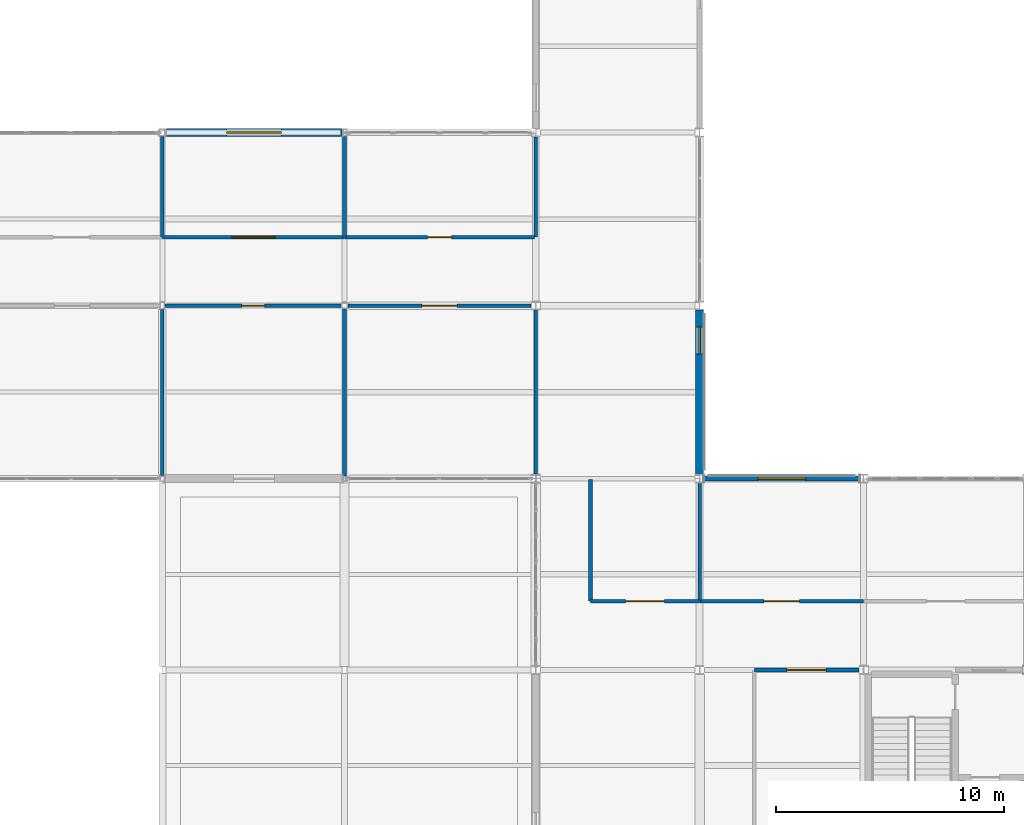
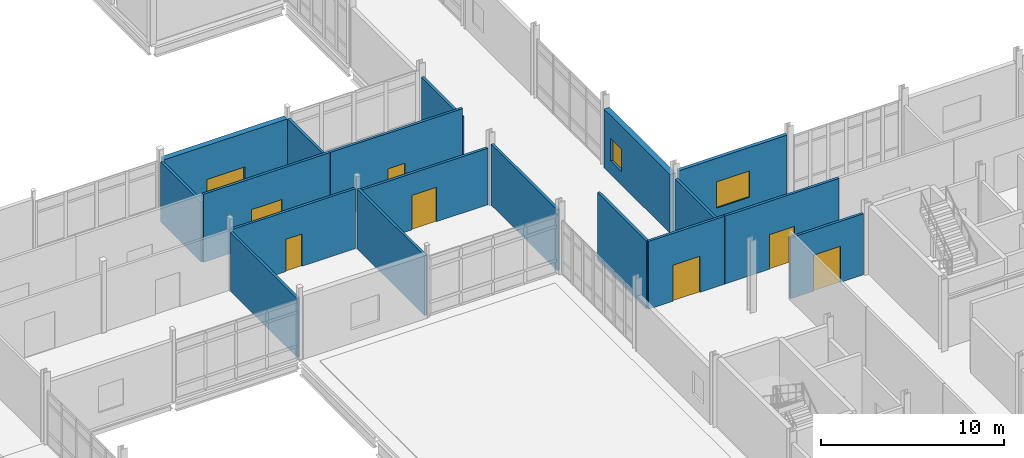
# One storey, part 163 of 186: 18 walls, 7 doors, 3 windows, 10 openings.
"""IFC4 building model written with IfcOpenShell, lengths in metres."""

from ifc_helpers import new_model, si_unit, direction, frame, frame_2d, origin, place, context, subcontext, project, spatial, rectangle, extrude, material, layer, layer_set, type_object, element, fill, save


model = new_model("IFC4")

# Units and contexts
model_context = context("Model", 3, precision=1e-05, world=origin(), true_north=direction((0.0, 1.0)))
body_context = subcontext(model_context, "Body", "Model", "MODEL_VIEW")
ifc_project = project(units=[si_unit("LENGTHUNIT", "METRE"), si_unit("AREAUNIT", "SQUARE_METRE"), si_unit("VOLUMEUNIT", "CUBIC_METRE"), si_unit("PLANEANGLEUNIT", "RADIAN"), si_unit("MASSUNIT", "GRAM", prefix="KILO")], contexts=[model_context])

# Site, building, storey
site_placement = place(None, origin())
site = spatial("IfcSite", under=ifc_project, at=site_placement, CompositionType="ELEMENT")
building_placement = place(site_placement, origin())
building = spatial("IfcBuilding", under=site, at=building_placement, Name="Calvrana Isthmian Art Gallery", CompositionType="ELEMENT")
storey_placement = place(building_placement, frame((0.0, 0.0, 5.39990234375)))
storey = spatial("IfcBuildingStorey", under=building, at=storey_placement, Name="L01", CompositionType="ELEMENT", Elevation=5.39990234375)

# Wall, opening, window
ifc_material_1 = material(Name="Precast concrete C40/50", Category="concrete")
ifc_layer_1 = layer(ifc_material_1, 0.219970703125, Name="Precast concrete C40/50")
ifc_layer_set_1 = layer_set([ifc_layer_1], Name="Precast concrete C40/50")
wall_type_1 = type_object("IfcWallType", Name="EW-ACOUST-220", PredefinedType="SOLIDWALL", material=ifc_layer_set_1)
wall_1_placement = place(storey_placement, frame((120.197021484375, 46.800048828125, 0.0), z_axis=(0.0, 0.0, 1.0), x_axis=(1.0, 0.0, 0.0)))
wall_1 = element("IfcWall", 1, at=wall_1_placement, inside=storey, type_object=wall_type_1, Name="Exterior wall EW-070", PredefinedType="SOLIDWALL", context=body_context, shape_type="SweptSolid", body=[
    extrude(rectangle(XDim=6.81640625, YDim=0.219970703125, at=frame_2d((3.408203125, 0.0))), origin(), (0.0, 0.0, 1.0), 4.21533203125),
])
opening_1_placement = place(wall_1_placement, frame((2.358154296875, 0.0, 0.89990234375)))
opening_1 = element("IfcOpeningElement", 2, at=opening_1_placement, cuts=wall_1, Name="Opening W-035", PredefinedType="OPENING", context=body_context, shape_type="SweptSolid", body=[
    extrude(rectangle(XDim=2.10009765625, YDim=1.75, at=frame_2d((1.050048828125, 0.875))), frame((0.0, 0.1201171875, 0.0), z_axis=(0.0, -1.0, 0.0), x_axis=(1.0, 0.0, 0.0)), (0.0, 0.0, 1.0), 0.240478515625),
])
ifc_material_2 = material(Name="Low-E laminated solar glass", Category="glass")
window_type_1 = type_object("IfcWindowType", Name="WN-G12", PartitioningType="DOUBLE_PANEL_VERTICAL", PredefinedType="WINDOW", material=ifc_material_2)
window_1_placement = place(opening_1_placement, origin())
window_1 = element("IfcWindow", 3, at=window_1_placement, inside=storey, type_object=window_type_1, Name="Facade window W-035", OverallHeight=1.75, OverallWidth=2.10009765625, PartitioningType="SINGLE_PANEL", PredefinedType="WINDOW", context=body_context, shape_type="SweptSolid", body=[
    extrude(rectangle(XDim=2.10009765625, YDim=1.75, at=frame_2d((1.050048828125, 0.875))), frame((0.0, 0.030029296875, 0.0), z_axis=(0.0, -1.0, 0.0), x_axis=(1.0, 0.0, 0.0)), (0.0, 0.0, 1.0), 0.06005859375),
])
fill(opening_1, window_1)

ifc_layer_2 = layer(ifc_material_1, 0.35009765625, Name="Precast concrete C40/50")
ifc_layer_set_2 = layer_set([ifc_layer_2], Name="Precast concrete C40/50")
wall_type_2 = type_object("IfcWallType", Name="EW-PREC-350", PredefinedType="SOLIDWALL", material=ifc_layer_set_2)
wall_2_placement = place(storey_placement, frame((96.552490234375, 62.0, 0.0), z_axis=(0.0, 0.0, 1.0), x_axis=(1.0, 0.0, 0.0)))
wall_2 = element("IfcWall", 4, at=wall_2_placement, inside=storey, type_object=wall_type_2, Name="Exterior wall EW-077", PredefinedType="SOLIDWALL", context=body_context, shape_type="SweptSolid", body=[
    extrude(rectangle(XDim=7.745849609375, YDim=0.35009765625, at=frame_2d((3.873046875, 0.0))), origin(), (0.0, 0.0, 1.0), 4.05810546875),
])
opening_2_placement = place(wall_2_placement, frame((2.673095703125, 0.0, 0.89990234375)))
opening_2 = element("IfcOpeningElement", 5, at=opening_2_placement, cuts=wall_2, Name="Opening W-042", PredefinedType="OPENING", context=body_context, shape_type="SweptSolid", body=[
    extrude(rectangle(XDim=2.39990234375, YDim=0.89990234375, at=frame_2d((1.199951171875, 0.449951171875))), frame((0.0, 0.185302734375, 0.0), z_axis=(0.0, -1.0, 0.0), x_axis=(1.0, 0.0, 0.0)), (0.0, 0.0, 1.0), 0.37060546875),
])
window_type_2 = type_object("IfcWindowType", Name="WN-C03", PartitioningType="DOUBLE_PANEL_VERTICAL", PredefinedType="WINDOW", material=ifc_material_2)
window_2_placement = place(opening_2_placement, origin())
window_2 = element("IfcWindow", 6, at=window_2_placement, inside=storey, type_object=window_type_2, Name="Facade window W-042", OverallHeight=0.89990234375, OverallWidth=2.39990234375, PartitioningType="SINGLE_PANEL", PredefinedType="WINDOW", context=body_context, shape_type="SweptSolid", body=[
    extrude(rectangle(XDim=2.39990234375, YDim=0.89990234375, at=frame_2d((1.199951171875, 0.449951171875))), frame((0.0, 0.030029296875, 0.0), z_axis=(0.0, -1.0, 0.0), x_axis=(1.0, 0.0, 0.0)), (0.0, 0.0, 1.0), 0.06005859375),
])
fill(opening_2, window_2)

wall_3_placement = place(storey_placement, frame((120.0, 54.216064453125, 0.0), z_axis=(0.0, 0.0, 1.0), x_axis=(0.0, -1.0, 0.0)))
wall_3 = element("IfcWall", 7, at=wall_3_placement, inside=storey, type_object=wall_type_2, Name="Exterior wall EW-105", PredefinedType="SOLIDWALL", context=body_context, shape_type="SweptSolid", body=[
    extrude(rectangle(XDim=7.22802734375, YDim=0.35009765625, at=frame_2d((3.614013671875, 0.0))), origin(), (0.0, 0.0, 1.0), 3.908203125),
])
opening_3_placement = place(wall_3_placement, frame((0.75, 0.0, 0.89990234375)))
opening_3 = element("IfcOpeningElement", 8, at=opening_3_placement, cuts=wall_3, Name="Opening W-067", PredefinedType="OPENING", context=body_context, shape_type="SweptSolid", body=[
    extrude(rectangle(XDim=1.199951171875, YDim=1.5, at=frame_2d((0.60009765625, 0.75))), frame((0.0, 0.185302734375, 0.0), z_axis=(0.0, -1.0, 0.0), x_axis=(1.0, 0.0, 0.0)), (0.0, 0.0, 1.0), 0.37060546875),
])
window_type_3 = type_object("IfcWindowType", Name="WN-G01", PartitioningType="SINGLE_PANEL", PredefinedType="WINDOW", material=ifc_material_2)
window_3_placement = place(opening_3_placement, origin())
window_3 = element("IfcWindow", 9, at=window_3_placement, inside=storey, type_object=window_type_3, Name="Facade window W-067", OverallHeight=1.5, OverallWidth=1.199951171875, PartitioningType="SINGLE_PANEL", PredefinedType="WINDOW", context=body_context, shape_type="SweptSolid", body=[
    extrude(rectangle(XDim=1.199951171875, YDim=1.5, at=frame_2d((0.60009765625, 0.75))), frame((0.0, 0.030029296875, 0.0), z_axis=(0.0, -1.0, 0.0), x_axis=(1.0, 0.0, 0.0)), (0.0, 0.0, 1.0), 0.06005859375),
])
fill(opening_3, window_3)

# Wall
ifc_material_3 = material(Name="Acoustic gypsum ceiling", Category="gypsum")
ifc_layer_3 = layer(ifc_material_3, 0.159912109375, Name="Acoustic gypsum ceiling")
ifc_layer_set_3 = layer_set([ifc_layer_3], Name="Acoustic gypsum ceiling")
wall_type_3 = type_object("IfcWallType", Name="PW-GAL-160", PredefinedType="PARTITIONING", material=ifc_layer_set_3)
wall_4_placement = place(storey_placement, frame((96.39990234375, 46.94189453125, 0.0), z_axis=(0.0, 0.0, 1.0), x_axis=(0.0, 1.0, 0.0)))
element("IfcWall", 10, at=wall_4_placement, inside=storey, type_object=wall_type_3, Name="Interior partition PW-349", PredefinedType="PARTITIONING", context=body_context, shape_type="SweptSolid", body=[
    extrude(rectangle(XDim=7.290771484375, YDim=0.159912109375, at=frame_2d((3.6455078125, 0.0))), origin(), (0.0, 0.0, 1.0), 3.9130859375),
])

# Wall, opening, door
wall_5_placement = place(storey_placement, frame((96.5166015625, 54.39990234375, 0.0), z_axis=(0.0, 0.0, 1.0), x_axis=(1.0, 0.0, 0.0)))
wall_5 = element("IfcWall", 11, at=wall_5_placement, inside=storey, type_object=wall_type_3, Name="Interior partition PW-350", PredefinedType="PARTITIONING", context=body_context, shape_type="SweptSolid", body=[
    extrude(rectangle(XDim=7.741455078125, YDim=0.159912109375, at=frame_2d((3.87060546875, 0.0))), origin(), (0.0, 0.0, 1.0), 3.987060546875),
])
opening_4_placement = place(wall_5_placement, frame((3.37060546875, 0.0, 0.0)))
opening_4 = element("IfcOpeningElement", 12, at=opening_4_placement, cuts=wall_5, Name="Opening D-378", PredefinedType="OPENING", context=body_context, shape_type="SweptSolid", body=[
    extrude(rectangle(XDim=1.0, YDim=2.14990234375, at=frame_2d((0.5, 1.074951171875))), frame((0.0, 0.09033203125, 0.0), z_axis=(0.0, -1.0, 0.0), x_axis=(1.0, 0.0, 0.0)), (0.0, 0.0, 1.0), 0.180419921875),
])
ifc_material_4 = material(Name="Timber gallery flooring", Category="wood")
door_type_1 = type_object("IfcDoorType", Name="DR-RM-1000", OperationType="NOTDEFINED", PredefinedType="DOOR", material=ifc_material_4)
door_1_placement = place(opening_4_placement, origin())
door_1 = element("IfcDoor", 13, at=door_1_placement, inside=storey, type_object=door_type_1, Name="Interior door D-378", OperationType="SINGLE_SWING_RIGHT", OverallHeight=2.14990234375, OverallWidth=1.0, PredefinedType="DOOR", context=body_context, shape_type="SweptSolid", body=[
    extrude(rectangle(XDim=1.0, YDim=2.14990234375, at=frame_2d((0.5, 1.074951171875))), frame((0.0, 0.02490234375, 0.0), z_axis=(0.0, -1.0, 0.0), x_axis=(1.0, 0.0, 0.0)), (0.0, 0.0, 1.0), 0.050048828125),
])
fill(opening_4, door_1)

# Wall
wall_6_placement = place(storey_placement, frame((104.39990234375, 46.91650390625, 0.0), z_axis=(0.0, 0.0, 1.0), x_axis=(0.0, 1.0, 0.0)))
element("IfcWall", 14, at=wall_6_placement, inside=storey, type_object=wall_type_3, Name="Interior partition PW-351", PredefinedType="PARTITIONING", context=body_context, shape_type="SweptSolid", body=[
    extrude(rectangle(XDim=7.341552734375, YDim=0.159912109375, at=frame_2d((3.6708984375, 0.0))), origin(), (0.0, 0.0, 1.0), 3.987060546875),
])

# Wall, opening, door
wall_7_placement = place(storey_placement, frame((104.5419921875, 54.39990234375, 0.0), z_axis=(0.0, 0.0, 1.0), x_axis=(1.0, 0.0, 0.0)))
wall_7 = element("IfcWall", 15, at=wall_7_placement, inside=storey, type_object=wall_type_3, Name="Interior partition PW-352", PredefinedType="PARTITIONING", context=body_context, shape_type="SweptSolid", body=[
    extrude(rectangle(XDim=8.056396484375, YDim=0.159912109375, at=frame_2d((4.0283203125, 0.0))), origin(), (0.0, 0.0, 1.0), 3.758056640625),
])
opening_5_placement = place(wall_7_placement, frame((3.253173828125, 0.0, 0.0)))
opening_5 = element("IfcOpeningElement", 16, at=opening_5_placement, cuts=wall_7, Name="Opening D-379", PredefinedType="OPENING", context=body_context, shape_type="SweptSolid", body=[
    extrude(rectangle(XDim=1.550048828125, YDim=2.300048828125, at=frame_2d((0.77490234375, 1.14990234375))), frame((0.0, 0.09033203125, 0.0), z_axis=(0.0, -1.0, 0.0), x_axis=(1.0, 0.0, 0.0)), (0.0, 0.0, 1.0), 0.180419921875),
])
door_type_2 = type_object("IfcDoorType", Name="DR-AUD-1550", OperationType="DOUBLE_DOOR_SINGLE_SWING", PredefinedType="DOOR", material=ifc_material_4)
door_2_placement = place(opening_5_placement, origin())
door_2 = element("IfcDoor", 17, at=door_2_placement, inside=storey, type_object=door_type_2, Name="Interior door D-379", OperationType="DOUBLE_DOOR_SINGLE_SWING", OverallHeight=2.300048828125, OverallWidth=1.550048828125, PredefinedType="DOOR", context=body_context, shape_type="SweptSolid", body=[
    extrude(rectangle(XDim=1.550048828125, YDim=2.300048828125, at=frame_2d((0.77490234375, 1.14990234375))), frame((0.0, 0.02490234375, 0.0), z_axis=(0.0, -1.0, 0.0), x_axis=(1.0, 0.0, 0.0)), (0.0, 0.0, 1.0), 0.050048828125),
])
fill(opening_5, door_2)

# Walls
wall_8_placement = place(storey_placement, frame((112.800048828125, 47.005615234375, 0.0), z_axis=(0.0, 0.0, 1.0), x_axis=(0.0, 1.0, 0.0)))
element("IfcWall", 18, at=wall_8_placement, inside=storey, type_object=wall_type_3, Name="Interior partition PW-353", PredefinedType="PARTITIONING", context=body_context, shape_type="SweptSolid", body=[
    extrude(rectangle(XDim=7.19287109375, YDim=0.159912109375, at=frame_2d((3.596435546875, 0.0))), origin(), (0.0, 0.0, 1.0), 4.05810546875),
])
wall_9_placement = place(storey_placement, frame((96.39990234375, 57.419921875, 0.0), z_axis=(0.0, 0.0, 1.0), x_axis=(0.0, 1.0, 0.0)))
element("IfcWall", 19, at=wall_9_placement, inside=storey, type_object=wall_type_3, Name="Interior partition PW-360", PredefinedType="PARTITIONING", context=body_context, shape_type="SweptSolid", body=[
    extrude(rectangle(XDim=4.41259765625, YDim=0.159912109375, at=frame_2d((2.206298828125, 0.0))), origin(), (0.0, 0.0, 1.0), 3.987060546875),
])

# Wall, opening, door
wall_10_placement = place(storey_placement, frame((96.409912109375, 57.409912109375, 0.0), z_axis=(0.0, 0.0, 1.0), x_axis=(1.0, 0.0, 0.0)))
wall_10 = element("IfcWall", 20, at=wall_10_placement, inside=storey, type_object=wall_type_3, Name="Interior partition PW-361", PredefinedType="PARTITIONING", context=body_context, shape_type="SweptSolid", body=[
    extrude(rectangle(XDim=7.97998046875, YDim=0.159912109375, at=frame_2d((3.989990234375, 0.0))), origin(), (0.0, 0.0, 1.0), 4.52001953125),
])
opening_6_placement = place(wall_10_placement, frame((3.0400390625, 0.0, 0.0)))
opening_6 = element("IfcOpeningElement", 21, at=opening_6_placement, cuts=wall_10, Name="Opening D-384", PredefinedType="OPENING", context=body_context, shape_type="SweptSolid", body=[
    extrude(rectangle(XDim=1.89990234375, YDim=2.449951171875, at=frame_2d((0.949951171875, 1.22509765625))), frame((0.0, 0.09033203125, 0.0), z_axis=(0.0, -1.0, 0.0), x_axis=(1.0, 0.0, 0.0)), (0.0, 0.0, 1.0), 0.180419921875),
])
door_type_3 = type_object("IfcDoorType", Name="DR-GAL-1900", OperationType="DOUBLE_DOOR_SINGLE_SWING", PredefinedType="DOOR", material=ifc_material_4)
door_3_placement = place(opening_6_placement, origin())
door_3 = element("IfcDoor", 22, at=door_3_placement, inside=storey, type_object=door_type_3, Name="Interior door D-384", OperationType="DOUBLE_DOOR_SINGLE_SWING", OverallHeight=2.449951171875, OverallWidth=1.89990234375, PredefinedType="DOOR", context=body_context, shape_type="SweptSolid", body=[
    extrude(rectangle(XDim=1.89990234375, YDim=2.449951171875, at=frame_2d((0.949951171875, 1.22509765625))), frame((0.0, 0.02490234375, 0.0), z_axis=(0.0, -1.0, 0.0), x_axis=(1.0, 0.0, 0.0)), (0.0, 0.0, 1.0), 0.050048828125),
])
fill(opening_6, door_3)

# Wall
wall_11_placement = place(storey_placement, frame((104.39990234375, 57.419921875, 0.0), z_axis=(0.0, 0.0, 1.0), x_axis=(0.0, 1.0, 0.0)))
element("IfcWall", 23, at=wall_11_placement, inside=storey, type_object=wall_type_3, Name="Interior partition PW-362", PredefinedType="PARTITIONING", context=body_context, shape_type="SweptSolid", body=[
    extrude(rectangle(XDim=4.41259765625, YDim=0.159912109375, at=frame_2d((2.206298828125, 0.0))), origin(), (0.0, 0.0, 1.0), 4.05810546875),
])

# Wall, opening, door
wall_12_placement = place(storey_placement, frame((104.409912109375, 57.409912109375, 0.0), z_axis=(0.0, 0.0, 1.0), x_axis=(1.0, 0.0, 0.0)))
wall_12 = element("IfcWall", 24, at=wall_12_placement, inside=storey, type_object=wall_type_3, Name="Interior partition PW-363", PredefinedType="PARTITIONING", context=body_context, shape_type="SweptSolid", body=[
    extrude(rectangle(XDim=8.330078125, YDim=0.159912109375, at=frame_2d((4.1650390625, 0.0))), origin(), (0.0, 0.0, 1.0), 4.52001953125),
])
opening_7_placement = place(wall_12_placement, frame((3.639892578125, 0.0, 0.0)))
opening_7 = element("IfcOpeningElement", 25, at=opening_7_placement, cuts=wall_12, Name="Opening D-385", PredefinedType="OPENING", context=body_context, shape_type="SweptSolid", body=[
    extrude(rectangle(XDim=1.050048828125, YDim=2.14990234375, at=frame_2d((0.52490234375, 1.074951171875))), frame((0.0, 0.09033203125, 0.0), z_axis=(0.0, -1.0, 0.0), x_axis=(1.0, 0.0, 0.0)), (0.0, 0.0, 1.0), 0.180419921875),
])
door_type_4 = type_object("IfcDoorType", Name="DR-RM-1050", OperationType="NOTDEFINED", PredefinedType="DOOR", material=ifc_material_4)
door_4_placement = place(opening_7_placement, origin())
door_4 = element("IfcDoor", 26, at=door_4_placement, inside=storey, type_object=door_type_4, Name="Interior door D-385", OperationType="SINGLE_SWING_RIGHT", OverallHeight=2.14990234375, OverallWidth=1.050048828125, PredefinedType="DOOR", context=body_context, shape_type="SweptSolid", body=[
    extrude(rectangle(XDim=1.050048828125, YDim=2.14990234375, at=frame_2d((0.52490234375, 1.074951171875))), frame((0.0, 0.02490234375, 0.0), z_axis=(0.0, -1.0, 0.0), x_axis=(1.0, 0.0, 0.0)), (0.0, 0.0, 1.0), 0.050048828125),
])
fill(opening_7, door_4)

# Wall
wall_13_placement = place(storey_placement, frame((112.800048828125, 57.419921875, 0.0), z_axis=(0.0, 0.0, 1.0), x_axis=(0.0, 1.0, 0.0)))
element("IfcWall", 27, at=wall_13_placement, inside=storey, type_object=wall_type_3, Name="Interior partition PW-364", PredefinedType="PARTITIONING", context=body_context, shape_type="SweptSolid", body=[
    extrude(rectangle(XDim=4.386962890625, YDim=0.159912109375, at=frame_2d((2.193359375, 0.0))), origin(), (0.0, 0.0, 1.0), 3.908203125),
])

# Wall, opening, door
wall_14_placement = place(storey_placement, frame((122.39990234375, 38.39990234375, 0.0), z_axis=(0.0, 0.0, 1.0), x_axis=(1.0, 0.0, 0.0)))
wall_14 = element("IfcWall", 28, at=wall_14_placement, inside=storey, type_object=wall_type_3, Name="Interior partition PW-383", PredefinedType="PARTITIONING", context=body_context, shape_type="SweptSolid", body=[
    extrude(rectangle(XDim=4.585693359375, YDim=0.159912109375, at=frame_2d((2.29296875, 0.0))), origin(), (0.0, 0.0, 1.0), 4.05810546875),
])
opening_8_placement = place(wall_14_placement, frame((1.442626953125, 0.0, 0.0)))
opening_8 = element("IfcOpeningElement", 29, at=opening_8_placement, cuts=wall_14, Name="Opening D-395", PredefinedType="OPENING", context=body_context, shape_type="SweptSolid", body=[
    extrude(rectangle(XDim=1.699951171875, YDim=2.39990234375, at=frame_2d((0.85009765625, 1.199951171875))), frame((0.0, 0.09033203125, 0.0), z_axis=(0.0, -1.0, 0.0), x_axis=(1.0, 0.0, 0.0)), (0.0, 0.0, 1.0), 0.180419921875),
])
door_type_5 = type_object("IfcDoorType", Name="DR-GAL-1700", OperationType="DOUBLE_DOOR_SINGLE_SWING", PredefinedType="DOOR", material=ifc_material_4)
door_5_placement = place(opening_8_placement, origin())
door_5 = element("IfcDoor", 30, at=door_5_placement, inside=storey, type_object=door_type_5, Name="Interior door D-395", OperationType="DOUBLE_DOOR_SINGLE_SWING", OverallHeight=2.39990234375, OverallWidth=1.699951171875, PredefinedType="DOOR", context=body_context, shape_type="SweptSolid", body=[
    extrude(rectangle(XDim=1.699951171875, YDim=2.39990234375, at=frame_2d((0.85009765625, 1.199951171875))), frame((0.0, 0.02490234375, 0.0), z_axis=(0.0, -1.0, 0.0), x_axis=(1.0, 0.0, 0.0)), (0.0, 0.0, 1.0), 0.050048828125),
])
fill(opening_8, door_5)

# Wall
wall_15_placement = place(storey_placement, frame((115.199951171875, 41.429931640625, 0.0), z_axis=(0.0, 0.0, 1.0), x_axis=(0.0, 1.0, 0.0)))
element("IfcWall", 31, at=wall_15_placement, inside=storey, type_object=wall_type_3, Name="Interior partition PW-397", PredefinedType="PARTITIONING", context=body_context, shape_type="SweptSolid", body=[
    extrude(rectangle(XDim=5.330078125, YDim=0.159912109375, at=frame_2d((2.6650390625, 0.0))), origin(), (0.0, 0.0, 1.0), 4.52001953125),
])

# Wall, opening, door
wall_16_placement = place(storey_placement, frame((115.199951171875, 41.409912109375, 0.0), z_axis=(0.0, 0.0, 1.0), x_axis=(1.0, 0.0, 0.0)))
wall_16 = element("IfcWall", 32, at=wall_16_placement, inside=storey, type_object=wall_type_3, Name="Interior partition PW-398", PredefinedType="PARTITIONING", context=body_context, shape_type="SweptSolid", body=[
    extrude(rectangle(XDim=4.7900390625, YDim=0.159912109375, at=frame_2d((2.39501953125, 0.0))), origin(), (0.0, 0.0, 1.0), 4.52001953125),
])
opening_9_placement = place(wall_16_placement, frame((1.544921875, 0.0, 0.0)))
opening_9 = element("IfcOpeningElement", 33, at=opening_9_placement, cuts=wall_16, Name="Opening D-399", PredefinedType="OPENING", context=body_context, shape_type="SweptSolid", body=[
    extrude(rectangle(XDim=1.699951171875, YDim=2.39990234375, at=frame_2d((0.85009765625, 1.199951171875))), frame((0.0, 0.09033203125, 0.0), z_axis=(0.0, -1.0, 0.0), x_axis=(1.0, 0.0, 0.0)), (0.0, 0.0, 1.0), 0.180419921875),
])
door_6_placement = place(opening_9_placement, origin())
door_6 = element("IfcDoor", 34, at=door_6_placement, inside=storey, type_object=door_type_5, Name="Interior door D-399", OperationType="DOUBLE_DOOR_SINGLE_SWING", OverallHeight=2.39990234375, OverallWidth=1.699951171875, PredefinedType="DOOR", context=body_context, shape_type="SweptSolid", body=[
    extrude(rectangle(XDim=1.699951171875, YDim=2.39990234375, at=frame_2d((0.85009765625, 1.199951171875))), frame((0.0, 0.02490234375, 0.0), z_axis=(0.0, -1.0, 0.0), x_axis=(1.0, 0.0, 0.0)), (0.0, 0.0, 1.0), 0.050048828125),
])
fill(opening_9, door_6)

# Wall
wall_17_placement = place(storey_placement, frame((120.0, 41.419921875, 0.0), z_axis=(0.0, 0.0, 1.0), x_axis=(0.0, 1.0, 0.0)))
element("IfcWall", 35, at=wall_17_placement, inside=storey, type_object=wall_type_3, Name="Interior partition PW-399", PredefinedType="PARTITIONING", context=body_context, shape_type="SweptSolid", body=[
    extrude(rectangle(XDim=5.177001953125, YDim=0.159912109375, at=frame_2d((2.58837890625, 0.0))), origin(), (0.0, 0.0, 1.0), 3.8271484375),
])

# Wall, opening, door
wall_18_placement = place(storey_placement, frame((120.010009765625, 41.409912109375, 0.0), z_axis=(0.0, 0.0, 1.0), x_axis=(1.0, 0.0, 0.0)))
wall_18 = element("IfcWall", 36, at=wall_18_placement, inside=storey, type_object=wall_type_3, Name="Interior partition PW-400", PredefinedType="PARTITIONING", context=body_context, shape_type="SweptSolid", body=[
    extrude(rectangle(XDim=7.179931640625, YDim=0.159912109375, at=frame_2d((3.58984375, 0.0))), origin(), (0.0, 0.0, 1.0), 4.52001953125),
])
opening_10_placement = place(wall_18_placement, frame((2.81494140625, 0.0, 0.0)))
opening_10 = element("IfcOpeningElement", 37, at=opening_10_placement, cuts=wall_18, Name="Opening D-400", PredefinedType="OPENING", context=body_context, shape_type="SweptSolid", body=[
    extrude(rectangle(XDim=1.550048828125, YDim=2.300048828125, at=frame_2d((0.77490234375, 1.14990234375))), frame((0.0, 0.09033203125, 0.0), z_axis=(0.0, -1.0, 0.0), x_axis=(1.0, 0.0, 0.0)), (0.0, 0.0, 1.0), 0.180419921875),
])
door_7_placement = place(opening_10_placement, origin())
door_7 = element("IfcDoor", 38, at=door_7_placement, inside=storey, type_object=door_type_2, Name="Interior door D-400", OperationType="DOUBLE_DOOR_SINGLE_SWING", OverallHeight=2.300048828125, OverallWidth=1.550048828125, PredefinedType="DOOR", context=body_context, shape_type="SweptSolid", body=[
    extrude(rectangle(XDim=1.550048828125, YDim=2.300048828125, at=frame_2d((0.77490234375, 1.14990234375))), frame((0.0, 0.02490234375, 0.0), z_axis=(0.0, -1.0, 0.0), x_axis=(1.0, 0.0, 0.0)), (0.0, 0.0, 1.0), 0.050048828125),
])
fill(opening_10, door_7)

save(model, "model.ifc")
